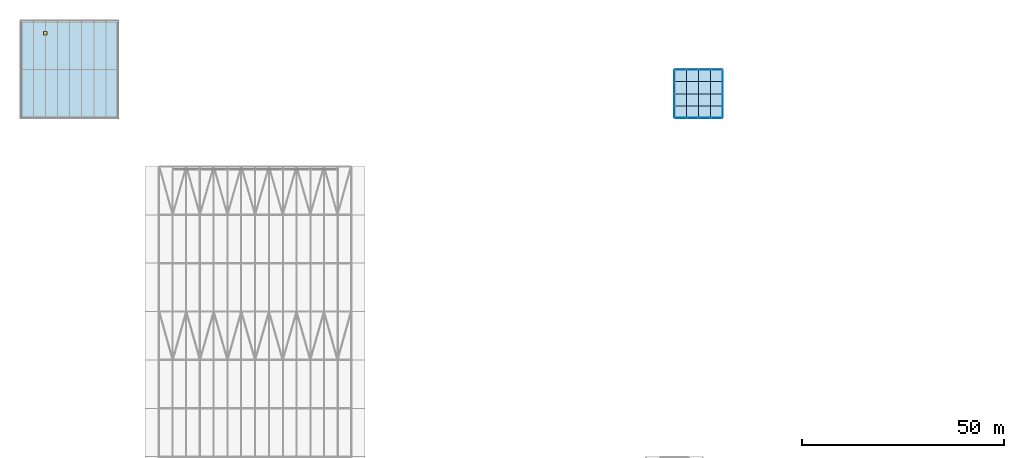
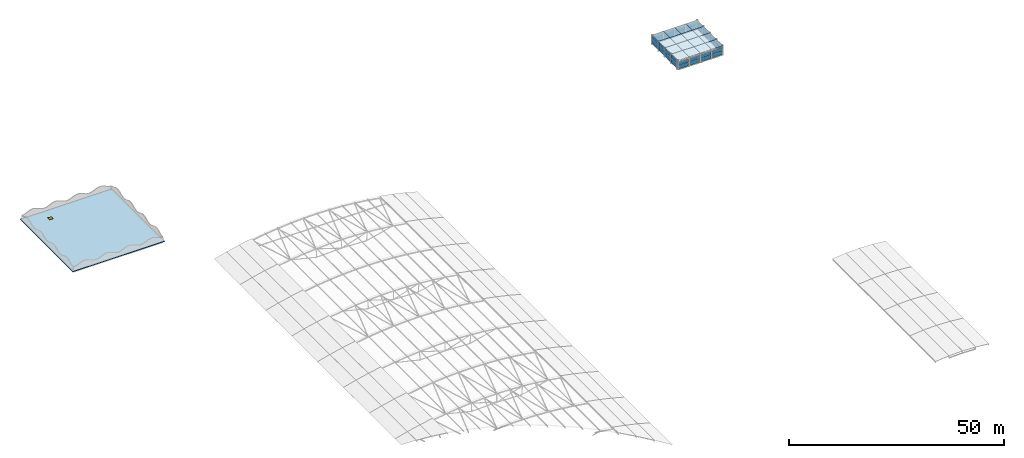
# One storey, part 53 of 91: 48 plates, 1 slab, 1 window, 1 opening, 10 elements without a shape of their own.
"""IFC4 building model written with IfcOpenShell, lengths in metres."""

from ifc_helpers import new_model, si_unit, direction, frame, origin, origin_2d, place, context, subcontext, project, spatial, polyline, rectangle, outline, extrude, material, layer, layer_set, type_object, element, fill, aggregate, save


model = new_model("IFC4")

# Units and contexts
model_context = context("Model", 3, precision=1e-05, world=origin(), true_north=direction((0.0, 1.0)))
body_context = subcontext(model_context, "Body", "Model", "MODEL_VIEW")
ifc_project = project(units=[si_unit("LENGTHUNIT", "METRE"), si_unit("AREAUNIT", "SQUARE_METRE"), si_unit("VOLUMEUNIT", "CUBIC_METRE"), si_unit("PLANEANGLEUNIT", "RADIAN"), si_unit("MASSUNIT", "GRAM", prefix="KILO")], contexts=[model_context])

# Site, building, storey
site_placement = place(None, origin())
site = spatial("IfcSite", under=ifc_project, at=site_placement, CompositionType="ELEMENT")
building_placement = place(site_placement, origin())
building = spatial("IfcBuilding", under=site, at=building_placement, Name="Ravi Spectrum Wholesale Market", CompositionType="ELEMENT")
storey_placement = place(building_placement, frame((0.0, 0.0, 16.199951171875)))
storey = spatial("IfcBuildingStorey", under=building, at=storey_placement, Name="ROOF PLANT LEVEL", CompositionType="ELEMENT", Elevation=16.199951171875)

# Curtain wall, plates
ifc_material_1 = material(Name="Aluminium 6063-T6", Category="aluminium")
ifc_layer_1 = layer(ifc_material_1, 0.14990234375)
ifc_layer_set_1 = layer_set([ifc_layer_1], Name="Aluminium 6063-T6")
curtain_wall_type = type_object("IfcCurtainWallType", Name="Curtain wall 150", PredefinedType="NOTDEFINED", material=ifc_layer_set_1)
curtain_wall_1_placement = place(storey_placement, origin())
curtain_wall_1 = element("IfcCurtainWall", 1, at=curtain_wall_1_placement, inside=storey, type_object=curtain_wall_type, Name="AU-CW-ROOF-001", PredefinedType="NOTDEFINED")
ifc_material_2 = material(Name="Toughened glass", Category="glass")
ifc_layer_2 = layer(ifc_material_2, 0.028076171875)
ifc_layer_set_2 = layer_set([ifc_layer_2], Name="Toughened glass")
plate_type_1 = type_object("IfcPlateType", Name="Glazing panel 28", PredefinedType="CURTAIN_PANEL", material=ifc_layer_set_2)
plate_1_placement = place(storey_placement, frame((175.5, 210.0, 0.32861328125), z_axis=(0.0, 0.0, 1.0), x_axis=(1.0, 0.0, 0.0)))
plate_1 = element("IfcPlate", 2, at=plate_1_placement, type_object=plate_type_1, Name="AU-CW-ROOF-001 panel 1.1", PredefinedType="CURTAIN_PANEL", context=body_context, shape_type="SweptSolid", body=[
    extrude(rectangle(XDim=2.679931640625, YDim=0.028076171875, at=origin_2d()), origin(), (0.0, 0.0, 1.0), 0.935791015625),
])
plate_2_placement = place(storey_placement, frame((175.5, 210.0, 1.32421875), z_axis=(0.0, 0.0, 1.0), x_axis=(1.0, 0.0, 0.0)))
plate_2 = element("IfcPlate", 3, at=plate_2_placement, type_object=plate_type_1, Name="AU-CW-ROOF-001 panel 1.2", PredefinedType="CURTAIN_PANEL", context=body_context, shape_type="SweptSolid", body=[
    extrude(rectangle(XDim=2.679931640625, YDim=0.028076171875, at=origin_2d()), origin(), (0.0, 0.0, 1.0), 0.935791015625),
])
aggregate(curtain_wall_1, [plate_1, plate_2])

curtain_wall_2_placement = place(storey_placement, origin())
curtain_wall_2 = element("IfcCurtainWall", 4, at=curtain_wall_2_placement, inside=storey, type_object=curtain_wall_type, Name="AU-CW-ROOF-002", PredefinedType="NOTDEFINED")
plate_3_placement = place(storey_placement, frame((178.5, 210.0, 0.32861328125), z_axis=(0.0, 0.0, 1.0), x_axis=(1.0, 0.0, 0.0)))
plate_3 = element("IfcPlate", 5, at=plate_3_placement, type_object=plate_type_1, Name="AU-CW-ROOF-002 panel 1.1", PredefinedType="CURTAIN_PANEL", context=body_context, shape_type="SweptSolid", body=[
    extrude(rectangle(XDim=2.679931640625, YDim=0.028076171875, at=origin_2d()), origin(), (0.0, 0.0, 1.0), 0.935791015625),
])
plate_4_placement = place(storey_placement, frame((178.5, 210.0, 1.32421875), z_axis=(0.0, 0.0, 1.0), x_axis=(1.0, 0.0, 0.0)))
plate_4 = element("IfcPlate", 6, at=plate_4_placement, type_object=plate_type_1, Name="AU-CW-ROOF-002 panel 1.2", PredefinedType="CURTAIN_PANEL", context=body_context, shape_type="SweptSolid", body=[
    extrude(rectangle(XDim=2.679931640625, YDim=0.028076171875, at=origin_2d()), origin(), (0.0, 0.0, 1.0), 0.935791015625),
])
aggregate(curtain_wall_2, [plate_3, plate_4])

curtain_wall_3_placement = place(storey_placement, origin())
curtain_wall_3 = element("IfcCurtainWall", 7, at=curtain_wall_3_placement, inside=storey, type_object=curtain_wall_type, Name="AU-CW-ROOF-003", PredefinedType="NOTDEFINED")
plate_5_placement = place(storey_placement, frame((181.5, 210.0, 0.32861328125), z_axis=(0.0, 0.0, 1.0), x_axis=(1.0, 0.0, 0.0)))
plate_5 = element("IfcPlate", 8, at=plate_5_placement, type_object=plate_type_1, Name="AU-CW-ROOF-003 panel 1.1", PredefinedType="CURTAIN_PANEL", context=body_context, shape_type="SweptSolid", body=[
    extrude(rectangle(XDim=2.679931640625, YDim=0.028076171875, at=origin_2d()), origin(), (0.0, 0.0, 1.0), 0.935791015625),
])
plate_6_placement = place(storey_placement, frame((181.5, 210.0, 1.32421875), z_axis=(0.0, 0.0, 1.0), x_axis=(1.0, 0.0, 0.0)))
plate_6 = element("IfcPlate", 9, at=plate_6_placement, type_object=plate_type_1, Name="AU-CW-ROOF-003 panel 1.2", PredefinedType="CURTAIN_PANEL", context=body_context, shape_type="SweptSolid", body=[
    extrude(rectangle(XDim=2.679931640625, YDim=0.028076171875, at=origin_2d()), origin(), (0.0, 0.0, 1.0), 0.935791015625),
])
aggregate(curtain_wall_3, [plate_5, plate_6])

curtain_wall_4_placement = place(storey_placement, origin())
curtain_wall_4 = element("IfcCurtainWall", 10, at=curtain_wall_4_placement, inside=storey, type_object=curtain_wall_type, Name="AU-CW-ROOF-004", PredefinedType="NOTDEFINED")
plate_7_placement = place(storey_placement, frame((184.5, 210.0, 0.32861328125), z_axis=(0.0, 0.0, 1.0), x_axis=(1.0, 0.0, 0.0)))
plate_7 = element("IfcPlate", 11, at=plate_7_placement, type_object=plate_type_1, Name="AU-CW-ROOF-004 panel 1.1", PredefinedType="CURTAIN_PANEL", context=body_context, shape_type="SweptSolid", body=[
    extrude(rectangle(XDim=2.679931640625, YDim=0.028076171875, at=origin_2d()), origin(), (0.0, 0.0, 1.0), 0.935791015625),
])
plate_8_placement = place(storey_placement, frame((184.5, 210.0, 1.32421875), z_axis=(0.0, 0.0, 1.0), x_axis=(1.0, 0.0, 0.0)))
plate_8 = element("IfcPlate", 12, at=plate_8_placement, type_object=plate_type_1, Name="AU-CW-ROOF-004 panel 1.2", PredefinedType="CURTAIN_PANEL", context=body_context, shape_type="SweptSolid", body=[
    extrude(rectangle(XDim=2.679931640625, YDim=0.028076171875, at=origin_2d()), origin(), (0.0, 0.0, 1.0), 0.935791015625),
])
aggregate(curtain_wall_4, [plate_7, plate_8])

curtain_wall_5_placement = place(storey_placement, origin())
curtain_wall_5 = element("IfcCurtainWall", 13, at=curtain_wall_5_placement, inside=storey, type_object=curtain_wall_type, Name="AU-CW-ROOF-005", PredefinedType="NOTDEFINED")
plate_9_placement = place(storey_placement, frame((175.5, 222.0, 0.32861328125), z_axis=(0.0, 0.0, 1.0), x_axis=(1.0, 0.0, 0.0)))
plate_9 = element("IfcPlate", 14, at=plate_9_placement, type_object=plate_type_1, Name="AU-CW-ROOF-005 panel 1.1", PredefinedType="CURTAIN_PANEL", context=body_context, shape_type="SweptSolid", body=[
    extrude(rectangle(XDim=2.679931640625, YDim=0.028076171875, at=origin_2d()), origin(), (0.0, 0.0, 1.0), 0.935791015625),
])
plate_10_placement = place(storey_placement, frame((175.5, 222.0, 1.32421875), z_axis=(0.0, 0.0, 1.0), x_axis=(1.0, 0.0, 0.0)))
plate_10 = element("IfcPlate", 15, at=plate_10_placement, type_object=plate_type_1, Name="AU-CW-ROOF-005 panel 1.2", PredefinedType="CURTAIN_PANEL", context=body_context, shape_type="SweptSolid", body=[
    extrude(rectangle(XDim=2.679931640625, YDim=0.028076171875, at=origin_2d()), origin(), (0.0, 0.0, 1.0), 0.935791015625),
])
aggregate(curtain_wall_5, [plate_9, plate_10])

curtain_wall_6_placement = place(storey_placement, origin())
curtain_wall_6 = element("IfcCurtainWall", 16, at=curtain_wall_6_placement, inside=storey, type_object=curtain_wall_type, Name="AU-CW-ROOF-006", PredefinedType="NOTDEFINED")
plate_11_placement = place(storey_placement, frame((178.5, 222.0, 0.32861328125), z_axis=(0.0, 0.0, 1.0), x_axis=(1.0, 0.0, 0.0)))
plate_11 = element("IfcPlate", 17, at=plate_11_placement, type_object=plate_type_1, Name="AU-CW-ROOF-006 panel 1.1", PredefinedType="CURTAIN_PANEL", context=body_context, shape_type="SweptSolid", body=[
    extrude(rectangle(XDim=2.679931640625, YDim=0.028076171875, at=origin_2d()), origin(), (0.0, 0.0, 1.0), 0.935791015625),
])
plate_12_placement = place(storey_placement, frame((178.5, 222.0, 1.32421875), z_axis=(0.0, 0.0, 1.0), x_axis=(1.0, 0.0, 0.0)))
plate_12 = element("IfcPlate", 18, at=plate_12_placement, type_object=plate_type_1, Name="AU-CW-ROOF-006 panel 1.2", PredefinedType="CURTAIN_PANEL", context=body_context, shape_type="SweptSolid", body=[
    extrude(rectangle(XDim=2.679931640625, YDim=0.028076171875, at=origin_2d()), origin(), (0.0, 0.0, 1.0), 0.935791015625),
])
aggregate(curtain_wall_6, [plate_11, plate_12])

curtain_wall_7_placement = place(storey_placement, origin())
curtain_wall_7 = element("IfcCurtainWall", 19, at=curtain_wall_7_placement, inside=storey, type_object=curtain_wall_type, Name="AU-CW-ROOF-007", PredefinedType="NOTDEFINED")
plate_13_placement = place(storey_placement, frame((181.5, 222.0, 0.32861328125), z_axis=(0.0, 0.0, 1.0), x_axis=(1.0, 0.0, 0.0)))
plate_13 = element("IfcPlate", 20, at=plate_13_placement, type_object=plate_type_1, Name="AU-CW-ROOF-007 panel 1.1", PredefinedType="CURTAIN_PANEL", context=body_context, shape_type="SweptSolid", body=[
    extrude(rectangle(XDim=2.679931640625, YDim=0.028076171875, at=origin_2d()), origin(), (0.0, 0.0, 1.0), 0.935791015625),
])
plate_14_placement = place(storey_placement, frame((181.5, 222.0, 1.32421875), z_axis=(0.0, 0.0, 1.0), x_axis=(1.0, 0.0, 0.0)))
plate_14 = element("IfcPlate", 21, at=plate_14_placement, type_object=plate_type_1, Name="AU-CW-ROOF-007 panel 1.2", PredefinedType="CURTAIN_PANEL", context=body_context, shape_type="SweptSolid", body=[
    extrude(rectangle(XDim=2.679931640625, YDim=0.028076171875, at=origin_2d()), origin(), (0.0, 0.0, 1.0), 0.935791015625),
])
aggregate(curtain_wall_7, [plate_13, plate_14])

curtain_wall_8_placement = place(storey_placement, origin())
curtain_wall_8 = element("IfcCurtainWall", 22, at=curtain_wall_8_placement, inside=storey, type_object=curtain_wall_type, Name="AU-CW-ROOF-008", PredefinedType="NOTDEFINED")
plate_15_placement = place(storey_placement, frame((184.5, 222.0, 0.32861328125), z_axis=(0.0, 0.0, 1.0), x_axis=(1.0, 0.0, 0.0)))
plate_15 = element("IfcPlate", 23, at=plate_15_placement, type_object=plate_type_1, Name="AU-CW-ROOF-008 panel 1.1", PredefinedType="CURTAIN_PANEL", context=body_context, shape_type="SweptSolid", body=[
    extrude(rectangle(XDim=2.679931640625, YDim=0.028076171875, at=origin_2d()), origin(), (0.0, 0.0, 1.0), 0.935791015625),
])
plate_16_placement = place(storey_placement, frame((184.5, 222.0, 1.32421875), z_axis=(0.0, 0.0, 1.0), x_axis=(1.0, 0.0, 0.0)))
plate_16 = element("IfcPlate", 24, at=plate_16_placement, type_object=plate_type_1, Name="AU-CW-ROOF-008 panel 1.2", PredefinedType="CURTAIN_PANEL", context=body_context, shape_type="SweptSolid", body=[
    extrude(rectangle(XDim=2.679931640625, YDim=0.028076171875, at=origin_2d()), origin(), (0.0, 0.0, 1.0), 0.935791015625),
])
aggregate(curtain_wall_8, [plate_15, plate_16])

curtain_wall_9_placement = place(storey_placement, origin())
curtain_wall_9 = element("IfcCurtainWall", 25, at=curtain_wall_9_placement, inside=storey, type_object=curtain_wall_type, Name="AU-CW-ROOF-009", PredefinedType="NOTDEFINED")
plate_17_placement = place(storey_placement, frame((174.0, 211.60498046875, 0.32861328125), z_axis=(0.0, 0.0, 1.0), x_axis=(0.0, 1.0, 0.0)))
plate_17 = element("IfcPlate", 26, at=plate_17_placement, type_object=plate_type_1, Name="AU-CW-ROOF-009 panel 1.1", PredefinedType="CURTAIN_PANEL", context=body_context, shape_type="SweptSolid", body=[
    extrude(rectangle(XDim=2.85009765625, YDim=0.028076171875, at=origin_2d()), origin(), (0.0, 0.0, 1.0), 1.16064453125),
])
plate_18_placement = place(storey_placement, frame((174.0, 211.60498046875, 1.54931640625), z_axis=(0.0, 0.0, 1.0), x_axis=(0.0, 1.0, 0.0)))
plate_18 = element("IfcPlate", 27, at=plate_18_placement, type_object=plate_type_1, Name="AU-CW-ROOF-009 panel 1.2", PredefinedType="CURTAIN_PANEL", context=body_context, shape_type="SweptSolid", body=[
    extrude(rectangle(XDim=2.85009765625, YDim=0.028076171875, at=origin_2d()), origin(), (0.0, 0.0, 1.0), 1.16064453125),
])
plate_19_placement = place(storey_placement, frame((174.0, 214.530029296875, 0.32861328125), z_axis=(0.0, 0.0, 1.0), x_axis=(0.0, 1.0, 0.0)))
plate_19 = element("IfcPlate", 28, at=plate_19_placement, type_object=plate_type_1, Name="AU-CW-ROOF-009 panel 2.1", PredefinedType="CURTAIN_PANEL", context=body_context, shape_type="SweptSolid", body=[
    extrude(rectangle(XDim=2.8798828125, YDim=0.028076171875, at=origin_2d()), origin(), (0.0, 0.0, 1.0), 1.16064453125),
])
plate_20_placement = place(storey_placement, frame((174.0, 214.530029296875, 1.54931640625), z_axis=(0.0, 0.0, 1.0), x_axis=(0.0, 1.0, 0.0)))
plate_20 = element("IfcPlate", 29, at=plate_20_placement, type_object=plate_type_1, Name="AU-CW-ROOF-009 panel 2.2", PredefinedType="CURTAIN_PANEL", context=body_context, shape_type="SweptSolid", body=[
    extrude(rectangle(XDim=2.8798828125, YDim=0.028076171875, at=origin_2d()), origin(), (0.0, 0.0, 1.0), 1.16064453125),
])
plate_21_placement = place(storey_placement, frame((174.0, 217.469970703125, 0.32861328125), z_axis=(0.0, 0.0, 1.0), x_axis=(0.0, 1.0, 0.0)))
plate_21 = element("IfcPlate", 30, at=plate_21_placement, type_object=plate_type_1, Name="AU-CW-ROOF-009 panel 3.1", PredefinedType="CURTAIN_PANEL", context=body_context, shape_type="SweptSolid", body=[
    extrude(rectangle(XDim=2.8798828125, YDim=0.028076171875, at=origin_2d()), origin(), (0.0, 0.0, 1.0), 1.16064453125),
])
plate_22_placement = place(storey_placement, frame((174.0, 217.469970703125, 1.54931640625), z_axis=(0.0, 0.0, 1.0), x_axis=(0.0, 1.0, 0.0)))
plate_22 = element("IfcPlate", 31, at=plate_22_placement, type_object=plate_type_1, Name="AU-CW-ROOF-009 panel 3.2", PredefinedType="CURTAIN_PANEL", context=body_context, shape_type="SweptSolid", body=[
    extrude(rectangle(XDim=2.8798828125, YDim=0.028076171875, at=origin_2d()), origin(), (0.0, 0.0, 1.0), 1.16064453125),
])
plate_23_placement = place(storey_placement, frame((174.0, 220.39501953125, 0.32861328125), z_axis=(0.0, 0.0, 1.0), x_axis=(0.0, 1.0, 0.0)))
plate_23 = element("IfcPlate", 32, at=plate_23_placement, type_object=plate_type_1, Name="AU-CW-ROOF-009 panel 4.1", PredefinedType="CURTAIN_PANEL", context=body_context, shape_type="SweptSolid", body=[
    extrude(rectangle(XDim=2.85009765625, YDim=0.028076171875, at=origin_2d()), origin(), (0.0, 0.0, 1.0), 1.16064453125),
])
plate_24_placement = place(storey_placement, frame((174.0, 220.39501953125, 1.54931640625), z_axis=(0.0, 0.0, 1.0), x_axis=(0.0, 1.0, 0.0)))
plate_24 = element("IfcPlate", 33, at=plate_24_placement, type_object=plate_type_1, Name="AU-CW-ROOF-009 panel 4.2", PredefinedType="CURTAIN_PANEL", context=body_context, shape_type="SweptSolid", body=[
    extrude(rectangle(XDim=2.85009765625, YDim=0.028076171875, at=origin_2d()), origin(), (0.0, 0.0, 1.0), 1.16064453125),
])
aggregate(curtain_wall_9, [plate_17, plate_18, plate_19, plate_20, plate_21, plate_22, plate_23, plate_24])

curtain_wall_10_placement = place(storey_placement, origin())
curtain_wall_10 = element("IfcCurtainWall", 34, at=curtain_wall_10_placement, inside=storey, type_object=curtain_wall_type, Name="AU-CW-ROOF-010", PredefinedType="NOTDEFINED")
plate_25_placement = place(storey_placement, frame((186.0, 211.60498046875, 0.32861328125), z_axis=(0.0, 0.0, 1.0), x_axis=(0.0, 1.0, 0.0)))
plate_25 = element("IfcPlate", 35, at=plate_25_placement, type_object=plate_type_1, Name="AU-CW-ROOF-010 panel 1.1", PredefinedType="CURTAIN_PANEL", context=body_context, shape_type="SweptSolid", body=[
    extrude(rectangle(XDim=2.85009765625, YDim=0.028076171875, at=origin_2d()), origin(), (0.0, 0.0, 1.0), 1.16064453125),
])
plate_26_placement = place(storey_placement, frame((186.0, 211.60498046875, 1.54931640625), z_axis=(0.0, 0.0, 1.0), x_axis=(0.0, 1.0, 0.0)))
plate_26 = element("IfcPlate", 36, at=plate_26_placement, type_object=plate_type_1, Name="AU-CW-ROOF-010 panel 1.2", PredefinedType="CURTAIN_PANEL", context=body_context, shape_type="SweptSolid", body=[
    extrude(rectangle(XDim=2.85009765625, YDim=0.028076171875, at=origin_2d()), origin(), (0.0, 0.0, 1.0), 1.16064453125),
])
plate_27_placement = place(storey_placement, frame((186.0, 214.530029296875, 0.32861328125), z_axis=(0.0, 0.0, 1.0), x_axis=(0.0, 1.0, 0.0)))
plate_27 = element("IfcPlate", 37, at=plate_27_placement, type_object=plate_type_1, Name="AU-CW-ROOF-010 panel 2.1", PredefinedType="CURTAIN_PANEL", context=body_context, shape_type="SweptSolid", body=[
    extrude(rectangle(XDim=2.8798828125, YDim=0.028076171875, at=origin_2d()), origin(), (0.0, 0.0, 1.0), 1.16064453125),
])
plate_28_placement = place(storey_placement, frame((186.0, 214.530029296875, 1.54931640625), z_axis=(0.0, 0.0, 1.0), x_axis=(0.0, 1.0, 0.0)))
plate_28 = element("IfcPlate", 38, at=plate_28_placement, type_object=plate_type_1, Name="AU-CW-ROOF-010 panel 2.2", PredefinedType="CURTAIN_PANEL", context=body_context, shape_type="SweptSolid", body=[
    extrude(rectangle(XDim=2.8798828125, YDim=0.028076171875, at=origin_2d()), origin(), (0.0, 0.0, 1.0), 1.16064453125),
])
plate_29_placement = place(storey_placement, frame((186.0, 217.469970703125, 0.32861328125), z_axis=(0.0, 0.0, 1.0), x_axis=(0.0, 1.0, 0.0)))
plate_29 = element("IfcPlate", 39, at=plate_29_placement, type_object=plate_type_1, Name="AU-CW-ROOF-010 panel 3.1", PredefinedType="CURTAIN_PANEL", context=body_context, shape_type="SweptSolid", body=[
    extrude(rectangle(XDim=2.8798828125, YDim=0.028076171875, at=origin_2d()), origin(), (0.0, 0.0, 1.0), 1.16064453125),
])
plate_30_placement = place(storey_placement, frame((186.0, 217.469970703125, 1.54931640625), z_axis=(0.0, 0.0, 1.0), x_axis=(0.0, 1.0, 0.0)))
plate_30 = element("IfcPlate", 40, at=plate_30_placement, type_object=plate_type_1, Name="AU-CW-ROOF-010 panel 3.2", PredefinedType="CURTAIN_PANEL", context=body_context, shape_type="SweptSolid", body=[
    extrude(rectangle(XDim=2.8798828125, YDim=0.028076171875, at=origin_2d()), origin(), (0.0, 0.0, 1.0), 1.16064453125),
])
plate_31_placement = place(storey_placement, frame((186.0, 220.39501953125, 0.32861328125), z_axis=(0.0, 0.0, 1.0), x_axis=(0.0, 1.0, 0.0)))
plate_31 = element("IfcPlate", 41, at=plate_31_placement, type_object=plate_type_1, Name="AU-CW-ROOF-010 panel 4.1", PredefinedType="CURTAIN_PANEL", context=body_context, shape_type="SweptSolid", body=[
    extrude(rectangle(XDim=2.85009765625, YDim=0.028076171875, at=origin_2d()), origin(), (0.0, 0.0, 1.0), 1.16064453125),
])
plate_32_placement = place(storey_placement, frame((186.0, 220.39501953125, 1.54931640625), z_axis=(0.0, 0.0, 1.0), x_axis=(0.0, 1.0, 0.0)))
plate_32 = element("IfcPlate", 42, at=plate_32_placement, type_object=plate_type_1, Name="AU-CW-ROOF-010 panel 4.2", PredefinedType="CURTAIN_PANEL", context=body_context, shape_type="SweptSolid", body=[
    extrude(rectangle(XDim=2.85009765625, YDim=0.028076171875, at=origin_2d()), origin(), (0.0, 0.0, 1.0), 1.16064453125),
])
aggregate(curtain_wall_10, [plate_25, plate_26, plate_27, plate_28, plate_29, plate_30, plate_31, plate_32])

# Plates
ifc_material_3 = material(Name="Toughened glass", Category="glass")
ifc_layer_3 = layer(ifc_material_3, 0.030029296875)
ifc_layer_set_3 = layer_set([ifc_layer_3], Name="Toughened glass")
plate_type_2 = type_object("IfcPlateType", Name="Lantern glazing panel 3000 x 3000", PredefinedType="SHEET", material=ifc_layer_set_3)
plate_33_placement = place(storey_placement, frame((0.0, 0.0, 2.77001953125)))
element("IfcPlate", 43, at=plate_33_placement, inside=storey, type_object=plate_type_2, Name="Lantern glazing", PredefinedType="SHEET", context=body_context, shape_type="SweptSolid", body=[
    extrude(outline(polyline([(174.0, 210.0), (177.0, 210.0), (177.0, 213.0), (174.0, 213.0), (174.0, 210.0)])), origin(), (0.0, 0.0, 1.0), 0.030029296875),
])
plate_34_placement = place(storey_placement, frame((0.0, 0.0, 2.77001953125)))
element("IfcPlate", 44, at=plate_34_placement, inside=storey, type_object=plate_type_2, Name="Lantern glazing", PredefinedType="SHEET", context=body_context, shape_type="SweptSolid", body=[
    extrude(outline(polyline([(174.0, 213.0), (177.0, 213.0), (177.0, 216.0), (174.0, 216.0), (174.0, 213.0)])), origin(), (0.0, 0.0, 1.0), 0.030029296875),
])
plate_35_placement = place(storey_placement, frame((0.0, 0.0, 2.77001953125)))
element("IfcPlate", 45, at=plate_35_placement, inside=storey, type_object=plate_type_2, Name="Lantern glazing", PredefinedType="SHEET", context=body_context, shape_type="SweptSolid", body=[
    extrude(outline(polyline([(174.0, 216.0), (177.0, 216.0), (177.0, 219.0), (174.0, 219.0), (174.0, 216.0)])), origin(), (0.0, 0.0, 1.0), 0.030029296875),
])
plate_36_placement = place(storey_placement, frame((0.0, 0.0, 2.77001953125)))
element("IfcPlate", 46, at=plate_36_placement, inside=storey, type_object=plate_type_2, Name="Lantern glazing", PredefinedType="SHEET", context=body_context, shape_type="SweptSolid", body=[
    extrude(outline(polyline([(174.0, 219.0), (177.0, 219.0), (177.0, 222.0), (174.0, 222.0), (174.0, 219.0)])), origin(), (0.0, 0.0, 1.0), 0.030029296875),
])
plate_37_placement = place(storey_placement, frame((0.0, 0.0, 2.77001953125)))
element("IfcPlate", 47, at=plate_37_placement, inside=storey, type_object=plate_type_2, Name="Lantern glazing", PredefinedType="SHEET", context=body_context, shape_type="SweptSolid", body=[
    extrude(outline(polyline([(177.0, 210.0), (180.0, 210.0), (180.0, 213.0), (177.0, 213.0), (177.0, 210.0)])), origin(), (0.0, 0.0, 1.0), 0.030029296875),
])
plate_38_placement = place(storey_placement, frame((0.0, 0.0, 2.77001953125)))
element("IfcPlate", 48, at=plate_38_placement, inside=storey, type_object=plate_type_2, Name="Lantern glazing", PredefinedType="SHEET", context=body_context, shape_type="SweptSolid", body=[
    extrude(outline(polyline([(177.0, 213.0), (180.0, 213.0), (180.0, 216.0), (177.0, 216.0), (177.0, 213.0)])), origin(), (0.0, 0.0, 1.0), 0.030029296875),
])
plate_39_placement = place(storey_placement, frame((0.0, 0.0, 2.77001953125)))
element("IfcPlate", 49, at=plate_39_placement, inside=storey, type_object=plate_type_2, Name="Lantern glazing", PredefinedType="SHEET", context=body_context, shape_type="SweptSolid", body=[
    extrude(outline(polyline([(177.0, 216.0), (180.0, 216.0), (180.0, 219.0), (177.0, 219.0), (177.0, 216.0)])), origin(), (0.0, 0.0, 1.0), 0.030029296875),
])
plate_40_placement = place(storey_placement, frame((0.0, 0.0, 2.77001953125)))
element("IfcPlate", 50, at=plate_40_placement, inside=storey, type_object=plate_type_2, Name="Lantern glazing", PredefinedType="SHEET", context=body_context, shape_type="SweptSolid", body=[
    extrude(outline(polyline([(177.0, 219.0), (180.0, 219.0), (180.0, 222.0), (177.0, 222.0), (177.0, 219.0)])), origin(), (0.0, 0.0, 1.0), 0.030029296875),
])
plate_41_placement = place(storey_placement, frame((0.0, 0.0, 2.77001953125)))
element("IfcPlate", 51, at=plate_41_placement, inside=storey, type_object=plate_type_2, Name="Lantern glazing", PredefinedType="SHEET", context=body_context, shape_type="SweptSolid", body=[
    extrude(outline(polyline([(180.0, 210.0), (183.0, 210.0), (183.0, 213.0), (180.0, 213.0), (180.0, 210.0)])), origin(), (0.0, 0.0, 1.0), 0.030029296875),
])
plate_42_placement = place(storey_placement, frame((0.0, 0.0, 2.77001953125)))
element("IfcPlate", 52, at=plate_42_placement, inside=storey, type_object=plate_type_2, Name="Lantern glazing", PredefinedType="SHEET", context=body_context, shape_type="SweptSolid", body=[
    extrude(outline(polyline([(180.0, 213.0), (183.0, 213.0), (183.0, 216.0), (180.0, 216.0), (180.0, 213.0)])), origin(), (0.0, 0.0, 1.0), 0.030029296875),
])
plate_43_placement = place(storey_placement, frame((0.0, 0.0, 2.77001953125)))
element("IfcPlate", 53, at=plate_43_placement, inside=storey, type_object=plate_type_2, Name="Lantern glazing", PredefinedType="SHEET", context=body_context, shape_type="SweptSolid", body=[
    extrude(outline(polyline([(180.0, 216.0), (183.0, 216.0), (183.0, 219.0), (180.0, 219.0), (180.0, 216.0)])), origin(), (0.0, 0.0, 1.0), 0.030029296875),
])
plate_44_placement = place(storey_placement, frame((0.0, 0.0, 2.77001953125)))
element("IfcPlate", 54, at=plate_44_placement, inside=storey, type_object=plate_type_2, Name="Lantern glazing", PredefinedType="SHEET", context=body_context, shape_type="SweptSolid", body=[
    extrude(outline(polyline([(180.0, 219.0), (183.0, 219.0), (183.0, 222.0), (180.0, 222.0), (180.0, 219.0)])), origin(), (0.0, 0.0, 1.0), 0.030029296875),
])
plate_45_placement = place(storey_placement, frame((0.0, 0.0, 2.77001953125)))
element("IfcPlate", 55, at=plate_45_placement, inside=storey, type_object=plate_type_2, Name="Lantern glazing", PredefinedType="SHEET", context=body_context, shape_type="SweptSolid", body=[
    extrude(outline(polyline([(183.0, 210.0), (186.0, 210.0), (186.0, 213.0), (183.0, 213.0), (183.0, 210.0)])), origin(), (0.0, 0.0, 1.0), 0.030029296875),
])
plate_46_placement = place(storey_placement, frame((0.0, 0.0, 2.77001953125)))
element("IfcPlate", 56, at=plate_46_placement, inside=storey, type_object=plate_type_2, Name="Lantern glazing", PredefinedType="SHEET", context=body_context, shape_type="SweptSolid", body=[
    extrude(outline(polyline([(183.0, 213.0), (186.0, 213.0), (186.0, 216.0), (183.0, 216.0), (183.0, 213.0)])), origin(), (0.0, 0.0, 1.0), 0.030029296875),
])
plate_47_placement = place(storey_placement, frame((0.0, 0.0, 2.77001953125)))
element("IfcPlate", 57, at=plate_47_placement, inside=storey, type_object=plate_type_2, Name="Lantern glazing", PredefinedType="SHEET", context=body_context, shape_type="SweptSolid", body=[
    extrude(outline(polyline([(183.0, 216.0), (186.0, 216.0), (186.0, 219.0), (183.0, 219.0), (183.0, 216.0)])), origin(), (0.0, 0.0, 1.0), 0.030029296875),
])
plate_48_placement = place(storey_placement, frame((0.0, 0.0, 2.77001953125)))
element("IfcPlate", 58, at=plate_48_placement, inside=storey, type_object=plate_type_2, Name="Lantern glazing", PredefinedType="SHEET", context=body_context, shape_type="SweptSolid", body=[
    extrude(outline(polyline([(183.0, 219.0), (186.0, 219.0), (186.0, 222.0), (183.0, 222.0), (183.0, 219.0)])), origin(), (0.0, 0.0, 1.0), 0.030029296875),
])

# Slab, opening, window
ifc_material_4 = material(Name="Steel S355", Category="steel")
ifc_layer_4 = layer(ifc_material_4, 0.1201171875)
ifc_layer_set_4 = layer_set([ifc_layer_4], Name="Steel S355")
slab_type = type_object("IfcSlabType", Name="Roof deck 120", PredefinedType="ROOF", material=ifc_layer_set_4)
slab_placement = place(storey_placement, frame((0.0, 0.0, -0.119873046875)))
slab = element("IfcSlab", 59, at=slab_placement, inside=storey, type_object=slab_type, Name="Canteen pavilion roof", PredefinedType="ROOF", context=body_context, shape_type="SweptSolid", body=[
    extrude(outline(polyline([(36.300048828125, 209.699951171875), (36.300048828125, 234.300048828125), (11.699951171875, 234.300048828125), (11.699951171875, 209.699951171875), (36.300048828125, 209.699951171875)])), origin(), (0.0, 0.0, 1.0), 0.119873046875),
])
opening_placement = place(slab_placement, frame((18.0, 231.0, 0.0)))
opening = element("IfcOpeningElement", 60, at=opening_placement, cuts=slab, Name="Opening RH1", PredefinedType="OPENING", context=body_context, shape_type="SweptSolid", body=[
    extrude(rectangle(XDim=0.89990234375, YDim=0.89990234375, at=origin_2d()), origin(), (0.0, 0.0, 1.0), 0.119873046875),
])
ifc_material_5 = material(Name="Aluminium frame", Category="aluminium")
window_type = type_object("IfcWindowType", Name="Roof access hatch 900 x 900", PartitioningType="SINGLE_PANEL", PredefinedType="SKYLIGHT", material=ifc_material_5)
window_placement = place(opening_placement, frame((0.0, 0.0, 0.06982421875)))
window = element("IfcWindow", 61, at=window_placement, inside=storey, type_object=window_type, Name="Roof access hatch", OverallHeight=0.89990234375, OverallWidth=0.89990234375, PartitioningType="SINGLE_PANEL", PredefinedType="SKYLIGHT", context=body_context, shape_type="SweptSolid", body=[
    extrude(rectangle(XDim=0.89990234375, YDim=0.89990234375, at=origin_2d()), origin(), (0.0, 0.0, 1.0), 0.050048828125),
])
fill(opening, window)

save(model, "model.ifc")
